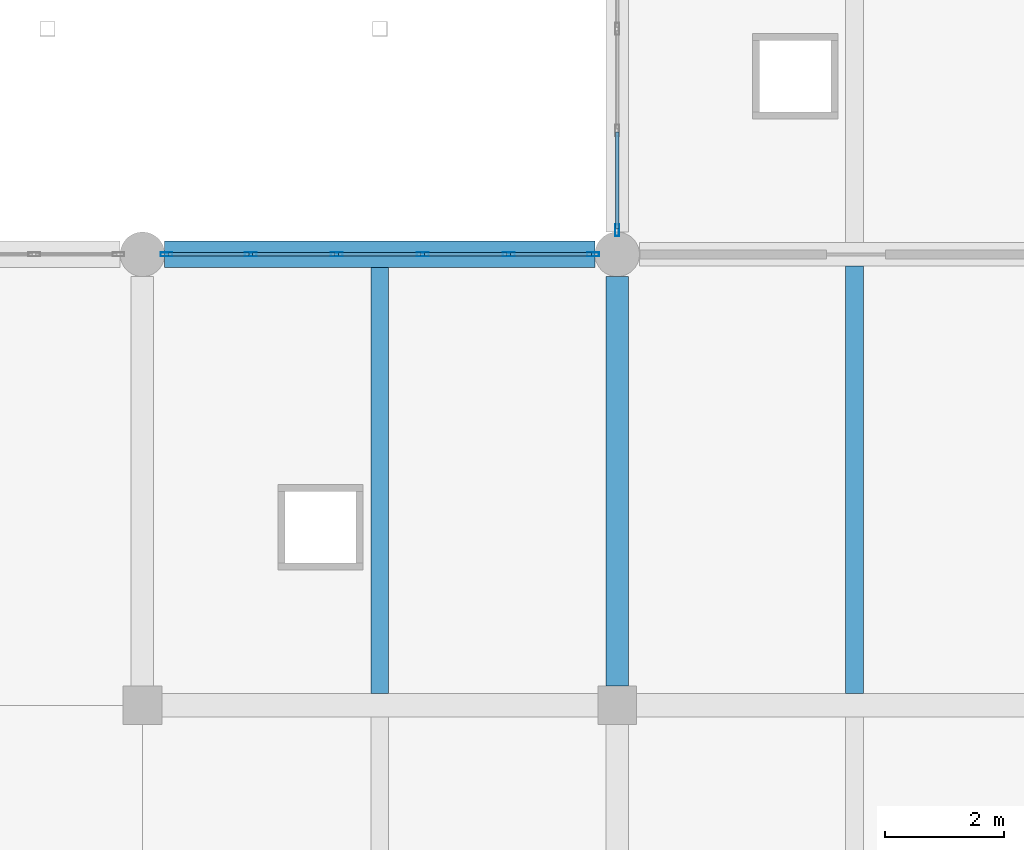
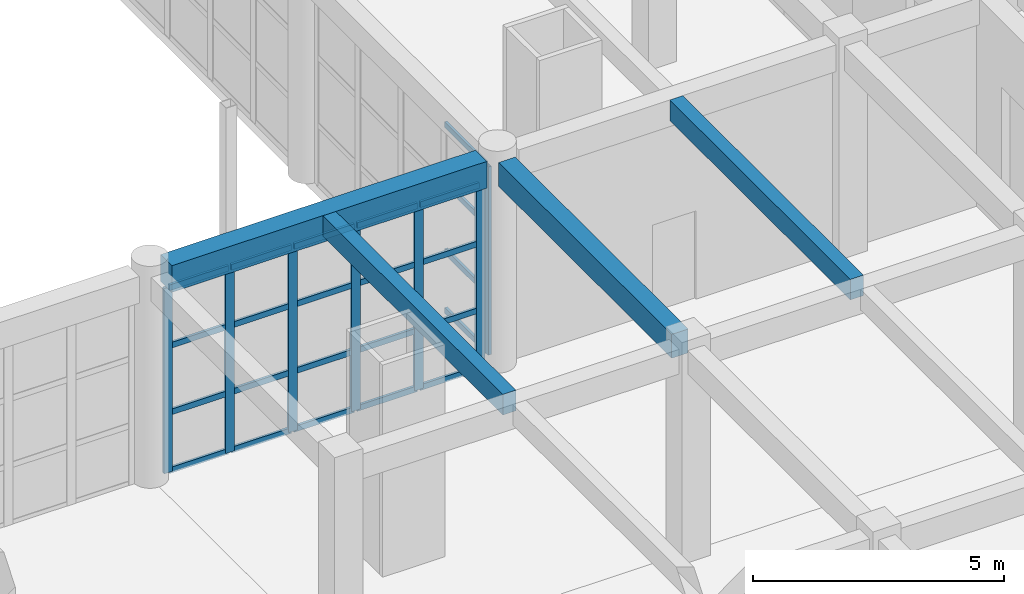
# One storey, part 50 of 95: 31 members, 4 beams, 2 elements without a shape of their own.
"""IFC4 building model written with IfcOpenShell, lengths in metres."""

from ifc_helpers import new_model, si_unit, direction, frame, origin, origin_2d, place, context, subcontext, project, spatial, rectangle, hollow_rectangle, extrude, material, material_profile, profile_set, type_object, element, aggregate, save


model = new_model("IFC4")

# Units and contexts
model_context = context("Model", 3, precision=1e-05, world=origin(), true_north=direction((0.0, 1.0)))
body_context = subcontext(model_context, "Body", "Model", "MODEL_VIEW")
ifc_project = project(units=[si_unit("LENGTHUNIT", "METRE"), si_unit("AREAUNIT", "SQUARE_METRE"), si_unit("VOLUMEUNIT", "CUBIC_METRE"), si_unit("PLANEANGLEUNIT", "RADIAN"), si_unit("MASSUNIT", "GRAM", prefix="KILO")], contexts=[model_context])

# Site, building, storey
site_placement = place(None, origin())
site = spatial("IfcSite", under=ifc_project, at=site_placement, CompositionType="ELEMENT")
building_placement = place(site_placement, origin())
building = spatial("IfcBuilding", under=site, at=building_placement, Name="Zantavel Square City Hall", CompositionType="ELEMENT")
storey_placement = place(building_placement, origin())
storey = spatial("IfcBuildingStorey", under=building, at=storey_placement, Name="L01", CompositionType="ELEMENT", Elevation=0.0)

# Beam
ifc_material_1 = material(Name="Concrete C35/45", Category="concrete")
ifc_material_profile_1 = material_profile(ifc_material_1, rectangle(XDim=0.3798828125, YDim=0.580078125, at=origin_2d()), Name="RC 380x580")
ifc_profile_set_1 = profile_set([ifc_material_profile_1], Name="Concrete C35/45")
beam_type_1 = type_object("IfcBeamType", Name="Annex Secondary Beam RC 380x580 C35/45", PredefinedType="BEAM", material=ifc_profile_set_1)
beam_1_placement = place(storey_placement, frame((152.0, 30.72509765625, 4.8701171875), z_axis=(0.0, 1.0, 0.0), x_axis=(-1.0, 0.0, 0.0)))
element("IfcBeam", 1, at=beam_1_placement, inside=storey, type_object=beam_type_1, Name="L01 Beam BMY-L01-1520-0304", PredefinedType="BEAM", context=body_context, shape_type="SweptSolid", body=[
    extrude(rectangle(XDim=0.3798828125, YDim=0.580078125, at=origin_2d()), origin(), (0.0, 0.0, 1.0), 6.89990234375),
])

# Curtain wall, members
ifc_material_2 = material(Name="Anodised aluminium 6063-T6", Category="aluminium")
curtain_wall_type_1 = type_object("IfcCurtainWallType", Name="Curtain Wall CRT 7250x4510", PredefinedType="USERDEFINED", material=ifc_material_2)
curtain_wall_1_placement = place(storey_placement, origin())
curtain_wall_1 = element("IfcCurtainWall", 2, at=curtain_wall_1_placement, inside=storey, type_object=curtain_wall_type_1, Name="L01 Glazed Curtain Wall CW-L01-030", ObjectType="GLAZED CURTAIN WALL", PredefinedType="USERDEFINED")
ifc_material_profile_2 = material_profile(ifc_material_2, hollow_rectangle(XDim=0.070068359375, YDim=0.199951171875, WallThickness=0.00439453125, at=origin_2d()), Name="ALU 70x200x4.5")
ifc_profile_set_2 = profile_set([ifc_material_profile_2], Name="Anodised aluminium 6063-T6")
member_type_1 = type_object("IfcMemberType", Name="CW Heavy Hall Mullion ALU 70x200x4.5", PredefinedType="MULLION", material=ifc_profile_set_2)
member_1_placement = place(storey_placement, frame((144.405029296875, 38.0, 0.0), z_axis=(0.0, 0.0, 1.0), x_axis=(0.0, 1.0, 0.0)))
member_1 = element("IfcMember", 3, at=member_1_placement, type_object=member_type_1, Name="CW-030 mullion 1", PredefinedType="MULLION", context=body_context, shape_type="SweptSolid", body=[
    extrude(hollow_rectangle(XDim=0.070068359375, YDim=0.199951171875, WallThickness=0.00439453125, at=origin_2d()), origin(), (0.0, 0.0, 1.0), 4.510009765625),
])
member_2_placement = place(storey_placement, frame((145.824951171875, 38.0, 0.0), z_axis=(0.0, 0.0, 1.0), x_axis=(0.0, 1.0, 0.0)))
member_2 = element("IfcMember", 4, at=member_2_placement, type_object=member_type_1, Name="CW-030 mullion 2", PredefinedType="MULLION", context=body_context, shape_type="SweptSolid", body=[
    extrude(hollow_rectangle(XDim=0.070068359375, YDim=0.199951171875, WallThickness=0.00439453125, at=origin_2d()), origin(), (0.0, 0.0, 1.0), 4.510009765625),
])
member_3_placement = place(storey_placement, frame((147.27490234375, 38.0, 0.0), z_axis=(0.0, 0.0, 1.0), x_axis=(0.0, 1.0, 0.0)))
member_3 = element("IfcMember", 5, at=member_3_placement, type_object=member_type_1, Name="CW-030 mullion 3", PredefinedType="MULLION", context=body_context, shape_type="SweptSolid", body=[
    extrude(hollow_rectangle(XDim=0.070068359375, YDim=0.199951171875, WallThickness=0.00439453125, at=origin_2d()), origin(), (0.0, 0.0, 1.0), 4.510009765625),
])
member_4_placement = place(storey_placement, frame((148.72509765625, 38.0, 0.0), z_axis=(0.0, 0.0, 1.0), x_axis=(0.0, 1.0, 0.0)))
member_4 = element("IfcMember", 6, at=member_4_placement, type_object=member_type_1, Name="CW-030 mullion 4", PredefinedType="MULLION", context=body_context, shape_type="SweptSolid", body=[
    extrude(hollow_rectangle(XDim=0.070068359375, YDim=0.199951171875, WallThickness=0.00439453125, at=origin_2d()), origin(), (0.0, 0.0, 1.0), 4.510009765625),
])
member_5_placement = place(storey_placement, frame((150.175048828125, 38.0, 0.0), z_axis=(0.0, 0.0, 1.0), x_axis=(0.0, 1.0, 0.0)))
member_5 = element("IfcMember", 7, at=member_5_placement, type_object=member_type_1, Name="CW-030 mullion 5", PredefinedType="MULLION", context=body_context, shape_type="SweptSolid", body=[
    extrude(hollow_rectangle(XDim=0.070068359375, YDim=0.199951171875, WallThickness=0.00439453125, at=origin_2d()), origin(), (0.0, 0.0, 1.0), 4.510009765625),
])
member_6_placement = place(storey_placement, frame((151.594970703125, 38.0, 0.0), z_axis=(0.0, 0.0, 1.0), x_axis=(0.0, 1.0, 0.0)))
member_6 = element("IfcMember", 8, at=member_6_placement, type_object=member_type_1, Name="CW-030 mullion 6", PredefinedType="MULLION", context=body_context, shape_type="SweptSolid", body=[
    extrude(hollow_rectangle(XDim=0.070068359375, YDim=0.199951171875, WallThickness=0.00439453125, at=origin_2d()), origin(), (0.0, 0.0, 1.0), 4.510009765625),
])

# Curtain wall, member
curtain_wall_type_2 = type_object("IfcCurtainWallType", Name="Curtain Wall CRT 6850x4580", PredefinedType="USERDEFINED", material=ifc_material_2)
curtain_wall_2_placement = place(storey_placement, origin())
curtain_wall_2 = element("IfcCurtainWall", 9, at=curtain_wall_2_placement, inside=storey, type_object=curtain_wall_type_2, Name="L01 Glazed Curtain Wall CW-L01-031", ObjectType="GLAZED CURTAIN WALL", PredefinedType="USERDEFINED")
member_7_placement = place(storey_placement, frame((152.0, 38.405029296875, 0.0), z_axis=(0.0, 0.0, 1.0), x_axis=(-1.0, 0.0, 0.0)))
member_7 = element("IfcMember", 10, at=member_7_placement, type_object=member_type_1, Name="CW-031 mullion 1", PredefinedType="MULLION", context=body_context, shape_type="SweptSolid", body=[
    extrude(hollow_rectangle(XDim=0.070068359375, YDim=0.199951171875, WallThickness=0.00439453125, at=origin_2d()), origin(), (0.0, 0.0, 1.0), 4.580078125),
])

# Member
ifc_material_profile_3 = material_profile(ifc_material_2, hollow_rectangle(XDim=0.06005859375, YDim=0.139892578125, WallThickness=0.00390625, at=origin_2d()), Name="ALU 60x140x4")
ifc_profile_set_3 = profile_set([ifc_material_profile_3], Name="Anodised aluminium 6063-T6")
member_type_2 = type_object("IfcMemberType", Name="CW Transom ALU 60x140x4", PredefinedType="USERDEFINED", material=ifc_profile_set_3)
member_8_placement = place(storey_placement, frame((144.43505859375, 38.0, 0.030029296875), z_axis=(1.0, 0.0, 0.0), x_axis=(0.0, 1.0, 0.0)))
member_8 = element("IfcMember", 11, at=member_8_placement, type_object=member_type_2, Name="CW-030 transom 1.1", ObjectType="TRANSOM", PredefinedType="USERDEFINED", context=body_context, shape_type="SweptSolid", body=[
    extrude(hollow_rectangle(XDim=0.06005859375, YDim=0.139892578125, WallThickness=0.00390625, at=origin_2d()), origin(), (0.0, 0.0, 1.0), 1.35986328125),
])

member_9_placement = place(storey_placement, frame((144.43505859375, 38.0, 1.443115234375), z_axis=(1.0, 0.0, 0.0), x_axis=(0.0, 1.0, 0.0)))
member_9 = element("IfcMember", 12, at=member_9_placement, type_object=member_type_2, Name="CW-030 transom 1.2", ObjectType="TRANSOM", PredefinedType="USERDEFINED", context=body_context, shape_type="SweptSolid", body=[
    extrude(hollow_rectangle(XDim=0.06005859375, YDim=0.139892578125, WallThickness=0.00390625, at=origin_2d()), origin(), (0.0, 0.0, 1.0), 1.35986328125),
])

member_10_placement = place(storey_placement, frame((144.43505859375, 38.0, 3.06689453125), z_axis=(1.0, 0.0, 0.0), x_axis=(0.0, 1.0, 0.0)))
member_10 = element("IfcMember", 13, at=member_10_placement, type_object=member_type_2, Name="CW-030 transom 1.3", ObjectType="TRANSOM", PredefinedType="USERDEFINED", context=body_context, shape_type="SweptSolid", body=[
    extrude(hollow_rectangle(XDim=0.06005859375, YDim=0.139892578125, WallThickness=0.00390625, at=origin_2d()), origin(), (0.0, 0.0, 1.0), 1.35986328125),
])

member_11_placement = place(storey_placement, frame((144.43505859375, 38.0, 4.47998046875), z_axis=(1.0, 0.0, 0.0), x_axis=(0.0, 1.0, 0.0)))
member_11 = element("IfcMember", 14, at=member_11_placement, type_object=member_type_2, Name="CW-030 transom 1.4", ObjectType="TRANSOM", PredefinedType="USERDEFINED", context=body_context, shape_type="SweptSolid", body=[
    extrude(hollow_rectangle(XDim=0.06005859375, YDim=0.139892578125, WallThickness=0.00390625, at=origin_2d()), origin(), (0.0, 0.0, 1.0), 1.35986328125),
])

member_12_placement = place(storey_placement, frame((145.85498046875, 38.0, 0.030029296875), z_axis=(1.0, 0.0, 0.0), x_axis=(0.0, 1.0, 0.0)))
member_12 = element("IfcMember", 15, at=member_12_placement, type_object=member_type_2, Name="CW-030 transom 2.1", ObjectType="TRANSOM", PredefinedType="USERDEFINED", context=body_context, shape_type="SweptSolid", body=[
    extrude(hollow_rectangle(XDim=0.06005859375, YDim=0.139892578125, WallThickness=0.00390625, at=origin_2d()), origin(), (0.0, 0.0, 1.0), 1.39013671875),
])

member_13_placement = place(storey_placement, frame((145.85498046875, 38.0, 1.443115234375), z_axis=(1.0, 0.0, 0.0), x_axis=(0.0, 1.0, 0.0)))
member_13 = element("IfcMember", 16, at=member_13_placement, type_object=member_type_2, Name="CW-030 transom 2.2", ObjectType="TRANSOM", PredefinedType="USERDEFINED", context=body_context, shape_type="SweptSolid", body=[
    extrude(hollow_rectangle(XDim=0.06005859375, YDim=0.139892578125, WallThickness=0.00390625, at=origin_2d()), origin(), (0.0, 0.0, 1.0), 1.39013671875),
])

member_14_placement = place(storey_placement, frame((145.85498046875, 38.0, 3.06689453125), z_axis=(1.0, 0.0, 0.0), x_axis=(0.0, 1.0, 0.0)))
member_14 = element("IfcMember", 17, at=member_14_placement, type_object=member_type_2, Name="CW-030 transom 2.3", ObjectType="TRANSOM", PredefinedType="USERDEFINED", context=body_context, shape_type="SweptSolid", body=[
    extrude(hollow_rectangle(XDim=0.06005859375, YDim=0.139892578125, WallThickness=0.00390625, at=origin_2d()), origin(), (0.0, 0.0, 1.0), 1.39013671875),
])

member_15_placement = place(storey_placement, frame((145.85498046875, 38.0, 4.47998046875), z_axis=(1.0, 0.0, 0.0), x_axis=(0.0, 1.0, 0.0)))
member_15 = element("IfcMember", 18, at=member_15_placement, type_object=member_type_2, Name="CW-030 transom 2.4", ObjectType="TRANSOM", PredefinedType="USERDEFINED", context=body_context, shape_type="SweptSolid", body=[
    extrude(hollow_rectangle(XDim=0.06005859375, YDim=0.139892578125, WallThickness=0.00390625, at=origin_2d()), origin(), (0.0, 0.0, 1.0), 1.39013671875),
])

member_16_placement = place(storey_placement, frame((147.304931640625, 38.0, 0.030029296875), z_axis=(1.0, 0.0, 0.0), x_axis=(0.0, 1.0, 0.0)))
member_16 = element("IfcMember", 19, at=member_16_placement, type_object=member_type_2, Name="CW-030 transom 3.1", ObjectType="TRANSOM", PredefinedType="USERDEFINED", context=body_context, shape_type="SweptSolid", body=[
    extrude(hollow_rectangle(XDim=0.06005859375, YDim=0.139892578125, WallThickness=0.00390625, at=origin_2d()), origin(), (0.0, 0.0, 1.0), 1.39013671875),
])

member_17_placement = place(storey_placement, frame((147.304931640625, 38.0, 1.443115234375), z_axis=(1.0, 0.0, 0.0), x_axis=(0.0, 1.0, 0.0)))
member_17 = element("IfcMember", 20, at=member_17_placement, type_object=member_type_2, Name="CW-030 transom 3.2", ObjectType="TRANSOM", PredefinedType="USERDEFINED", context=body_context, shape_type="SweptSolid", body=[
    extrude(hollow_rectangle(XDim=0.06005859375, YDim=0.139892578125, WallThickness=0.00390625, at=origin_2d()), origin(), (0.0, 0.0, 1.0), 1.39013671875),
])

member_18_placement = place(storey_placement, frame((147.304931640625, 38.0, 3.06689453125), z_axis=(1.0, 0.0, 0.0), x_axis=(0.0, 1.0, 0.0)))
member_18 = element("IfcMember", 21, at=member_18_placement, type_object=member_type_2, Name="CW-030 transom 3.3", ObjectType="TRANSOM", PredefinedType="USERDEFINED", context=body_context, shape_type="SweptSolid", body=[
    extrude(hollow_rectangle(XDim=0.06005859375, YDim=0.139892578125, WallThickness=0.00390625, at=origin_2d()), origin(), (0.0, 0.0, 1.0), 1.39013671875),
])

member_19_placement = place(storey_placement, frame((147.304931640625, 38.0, 4.47998046875), z_axis=(1.0, 0.0, 0.0), x_axis=(0.0, 1.0, 0.0)))
member_19 = element("IfcMember", 22, at=member_19_placement, type_object=member_type_2, Name="CW-030 transom 3.4", ObjectType="TRANSOM", PredefinedType="USERDEFINED", context=body_context, shape_type="SweptSolid", body=[
    extrude(hollow_rectangle(XDim=0.06005859375, YDim=0.139892578125, WallThickness=0.00390625, at=origin_2d()), origin(), (0.0, 0.0, 1.0), 1.39013671875),
])

member_20_placement = place(storey_placement, frame((148.7548828125, 38.0, 0.030029296875), z_axis=(1.0, 0.0, 0.0), x_axis=(0.0, 1.0, 0.0)))
member_20 = element("IfcMember", 23, at=member_20_placement, type_object=member_type_2, Name="CW-030 transom 4.1", ObjectType="TRANSOM", PredefinedType="USERDEFINED", context=body_context, shape_type="SweptSolid", body=[
    extrude(hollow_rectangle(XDim=0.06005859375, YDim=0.139892578125, WallThickness=0.00390625, at=origin_2d()), origin(), (0.0, 0.0, 1.0), 1.39013671875),
])

member_21_placement = place(storey_placement, frame((148.7548828125, 38.0, 1.443115234375), z_axis=(1.0, 0.0, 0.0), x_axis=(0.0, 1.0, 0.0)))
member_21 = element("IfcMember", 24, at=member_21_placement, type_object=member_type_2, Name="CW-030 transom 4.2", ObjectType="TRANSOM", PredefinedType="USERDEFINED", context=body_context, shape_type="SweptSolid", body=[
    extrude(hollow_rectangle(XDim=0.06005859375, YDim=0.139892578125, WallThickness=0.00390625, at=origin_2d()), origin(), (0.0, 0.0, 1.0), 1.39013671875),
])

member_22_placement = place(storey_placement, frame((148.7548828125, 38.0, 3.06689453125), z_axis=(1.0, 0.0, 0.0), x_axis=(0.0, 1.0, 0.0)))
member_22 = element("IfcMember", 25, at=member_22_placement, type_object=member_type_2, Name="CW-030 transom 4.3", ObjectType="TRANSOM", PredefinedType="USERDEFINED", context=body_context, shape_type="SweptSolid", body=[
    extrude(hollow_rectangle(XDim=0.06005859375, YDim=0.139892578125, WallThickness=0.00390625, at=origin_2d()), origin(), (0.0, 0.0, 1.0), 1.39013671875),
])

member_23_placement = place(storey_placement, frame((148.7548828125, 38.0, 4.47998046875), z_axis=(1.0, 0.0, 0.0), x_axis=(0.0, 1.0, 0.0)))
member_23 = element("IfcMember", 26, at=member_23_placement, type_object=member_type_2, Name="CW-030 transom 4.4", ObjectType="TRANSOM", PredefinedType="USERDEFINED", context=body_context, shape_type="SweptSolid", body=[
    extrude(hollow_rectangle(XDim=0.06005859375, YDim=0.139892578125, WallThickness=0.00390625, at=origin_2d()), origin(), (0.0, 0.0, 1.0), 1.39013671875),
])

member_24_placement = place(storey_placement, frame((150.205078125, 38.0, 0.030029296875), z_axis=(1.0, 0.0, 0.0), x_axis=(0.0, 1.0, 0.0)))
member_24 = element("IfcMember", 27, at=member_24_placement, type_object=member_type_2, Name="CW-030 transom 5.1", ObjectType="TRANSOM", PredefinedType="USERDEFINED", context=body_context, shape_type="SweptSolid", body=[
    extrude(hollow_rectangle(XDim=0.06005859375, YDim=0.139892578125, WallThickness=0.00390625, at=origin_2d()), origin(), (0.0, 0.0, 1.0), 1.35986328125),
])

member_25_placement = place(storey_placement, frame((150.205078125, 38.0, 1.443115234375), z_axis=(1.0, 0.0, 0.0), x_axis=(0.0, 1.0, 0.0)))
member_25 = element("IfcMember", 28, at=member_25_placement, type_object=member_type_2, Name="CW-030 transom 5.2", ObjectType="TRANSOM", PredefinedType="USERDEFINED", context=body_context, shape_type="SweptSolid", body=[
    extrude(hollow_rectangle(XDim=0.06005859375, YDim=0.139892578125, WallThickness=0.00390625, at=origin_2d()), origin(), (0.0, 0.0, 1.0), 1.35986328125),
])

member_26_placement = place(storey_placement, frame((150.205078125, 38.0, 3.06689453125), z_axis=(1.0, 0.0, 0.0), x_axis=(0.0, 1.0, 0.0)))
member_26 = element("IfcMember", 29, at=member_26_placement, type_object=member_type_2, Name="CW-030 transom 5.3", ObjectType="TRANSOM", PredefinedType="USERDEFINED", context=body_context, shape_type="SweptSolid", body=[
    extrude(hollow_rectangle(XDim=0.06005859375, YDim=0.139892578125, WallThickness=0.00390625, at=origin_2d()), origin(), (0.0, 0.0, 1.0), 1.35986328125),
])

member_27_placement = place(storey_placement, frame((150.205078125, 38.0, 4.47998046875), z_axis=(1.0, 0.0, 0.0), x_axis=(0.0, 1.0, 0.0)))
member_27 = element("IfcMember", 30, at=member_27_placement, type_object=member_type_2, Name="CW-030 transom 5.4", ObjectType="TRANSOM", PredefinedType="USERDEFINED", context=body_context, shape_type="SweptSolid", body=[
    extrude(hollow_rectangle(XDim=0.06005859375, YDim=0.139892578125, WallThickness=0.00390625, at=origin_2d()), origin(), (0.0, 0.0, 1.0), 1.35986328125),
])

aggregate(curtain_wall_1, [member_1, member_2, member_3, member_4, member_5, member_6, member_8, member_9, member_10, member_11, member_12, member_13, member_14, member_15, member_16, member_17, member_18, member_19, member_20, member_21, member_22, member_23, member_24, member_25, member_26, member_27])

member_28_placement = place(storey_placement, frame((152.0, 38.43505859375, 0.030029296875), z_axis=(0.0, 1.0, 0.0), x_axis=(-1.0, 0.0, 0.0)))
member_28 = element("IfcMember", 31, at=member_28_placement, type_object=member_type_2, Name="CW-031 transom 1.1", ObjectType="TRANSOM", PredefinedType="USERDEFINED", context=body_context, shape_type="SweptSolid", body=[
    extrude(hollow_rectangle(XDim=0.06005859375, YDim=0.139892578125, WallThickness=0.00390625, at=origin_2d()), origin(), (0.0, 0.0, 1.0), 1.62255859375),
])

member_29_placement = place(storey_placement, frame((152.0, 38.43505859375, 1.466064453125), z_axis=(0.0, 1.0, 0.0), x_axis=(-1.0, 0.0, 0.0)))
member_29 = element("IfcMember", 32, at=member_29_placement, type_object=member_type_2, Name="CW-031 transom 1.2", ObjectType="TRANSOM", PredefinedType="USERDEFINED", context=body_context, shape_type="SweptSolid", body=[
    extrude(hollow_rectangle(XDim=0.06005859375, YDim=0.139892578125, WallThickness=0.00390625, at=origin_2d()), origin(), (0.0, 0.0, 1.0), 1.62255859375),
])

member_30_placement = place(storey_placement, frame((152.0, 38.43505859375, 3.114013671875), z_axis=(0.0, 1.0, 0.0), x_axis=(-1.0, 0.0, 0.0)))
member_30 = element("IfcMember", 33, at=member_30_placement, type_object=member_type_2, Name="CW-031 transom 1.3", ObjectType="TRANSOM", PredefinedType="USERDEFINED", context=body_context, shape_type="SweptSolid", body=[
    extrude(hollow_rectangle(XDim=0.06005859375, YDim=0.139892578125, WallThickness=0.00390625, at=origin_2d()), origin(), (0.0, 0.0, 1.0), 1.62255859375),
])

member_31_placement = place(storey_placement, frame((152.0, 38.43505859375, 4.550048828125), z_axis=(0.0, 1.0, 0.0), x_axis=(-1.0, 0.0, 0.0)))
member_31 = element("IfcMember", 34, at=member_31_placement, type_object=member_type_2, Name="CW-031 transom 1.4", ObjectType="TRANSOM", PredefinedType="USERDEFINED", context=body_context, shape_type="SweptSolid", body=[
    extrude(hollow_rectangle(XDim=0.06005859375, YDim=0.139892578125, WallThickness=0.00390625, at=origin_2d()), origin(), (0.0, 0.0, 1.0), 1.62255859375),
])

aggregate(curtain_wall_2, [member_7, member_28, member_29, member_30, member_31])

# Beams
ifc_material_profile_4 = material_profile(ifc_material_1, rectangle(XDim=0.449951171875, YDim=0.64990234375, at=origin_2d()), Name="RC 450x650")
ifc_profile_set_4 = profile_set([ifc_material_profile_4], Name="Concrete C35/45")
beam_type_2 = type_object("IfcBeamType", Name="Courtyard Cloister Girder RC 450x650 C35/45", PredefinedType="BEAM", material=ifc_profile_set_4)
beam_2_placement = place(storey_placement, frame((144.375, 38.0, 4.8349609375), z_axis=(1.0, 0.0, 0.0), x_axis=(0.0, 1.0, 0.0)))
element("IfcBeam", 35, at=beam_2_placement, inside=storey, type_object=beam_type_2, Name="L01 Girder BMX-L01-1440-0380", PredefinedType="BEAM", context=body_context, shape_type="SweptSolid", body=[
    extrude(rectangle(XDim=0.449951171875, YDim=0.64990234375, at=origin_2d()), origin(), (0.0, 0.0, 1.0), 7.25),
])
ifc_material_profile_5 = material_profile(ifc_material_1, rectangle(XDim=0.300048828125, YDim=0.5, at=origin_2d()), Name="RC 300x500")
ifc_profile_set_5 = profile_set([ifc_material_profile_5], Name="Concrete C35/45")
beam_type_3 = type_object("IfcBeamType", Name="Floor Joist RC 300x500 C35/45", PredefinedType="JOIST", material=ifc_profile_set_5)
beam_3_placement = place(storey_placement, frame((148.0, 30.60009765625, 4.909912109375), z_axis=(0.0, 1.0, 0.0), x_axis=(-1.0, 0.0, 0.0)))
element("IfcBeam", 36, at=beam_3_placement, inside=storey, type_object=beam_type_3, Name="L01 Floor Joist JST-L01-1480-0304", PredefinedType="JOIST", context=body_context, shape_type="SweptSolid", body=[
    extrude(rectangle(XDim=0.300048828125, YDim=0.5, at=origin_2d()), origin(), (0.0, 0.0, 1.0), 7.1748046875),
])
beam_4_placement = place(storey_placement, frame((156.0, 30.60009765625, 4.909912109375), z_axis=(0.0, 1.0, 0.0), x_axis=(-1.0, 0.0, 0.0)))
element("IfcBeam", 37, at=beam_4_placement, inside=storey, type_object=beam_type_3, Name="L01 Floor Joist JST-L01-1560-0304", PredefinedType="JOIST", context=body_context, shape_type="SweptSolid", body=[
    extrude(rectangle(XDim=0.300048828125, YDim=0.5, at=origin_2d()), origin(), (0.0, 0.0, 1.0), 7.199951171875),
])

save(model, "model.ifc")
